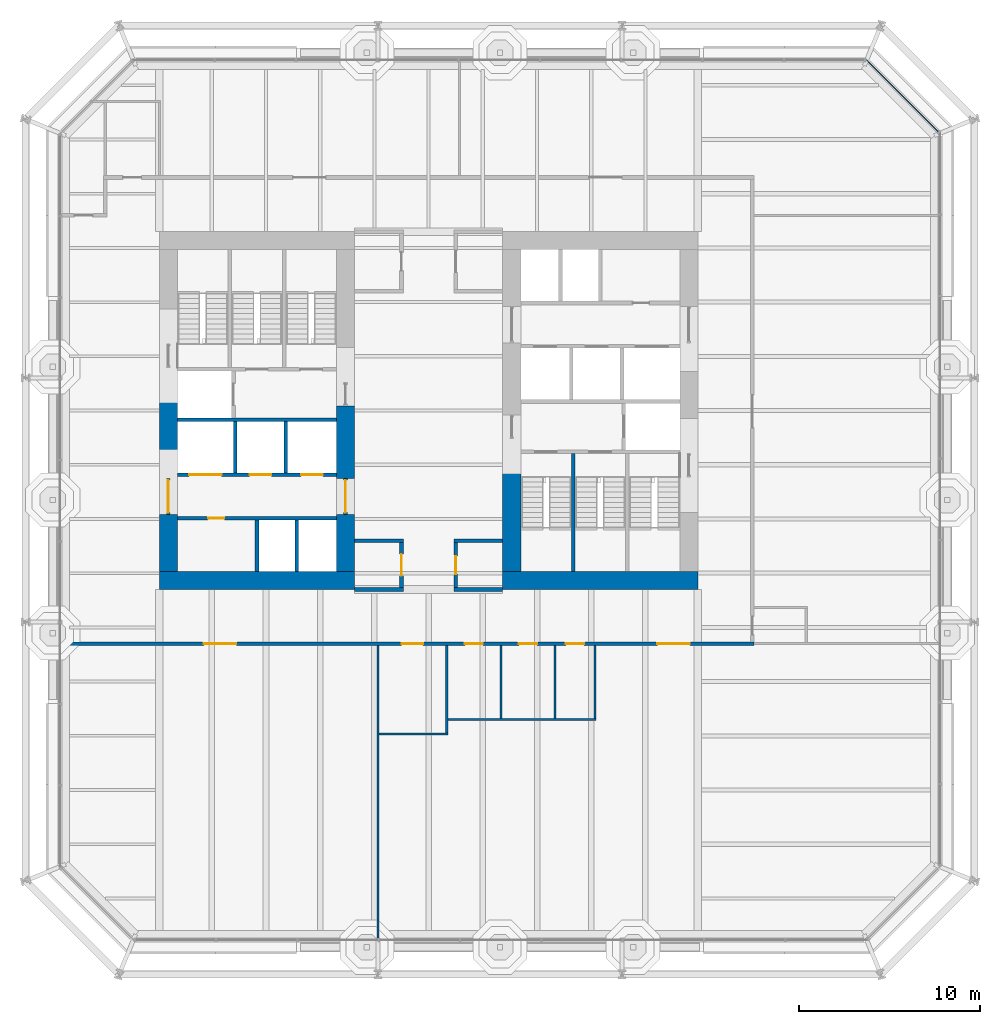
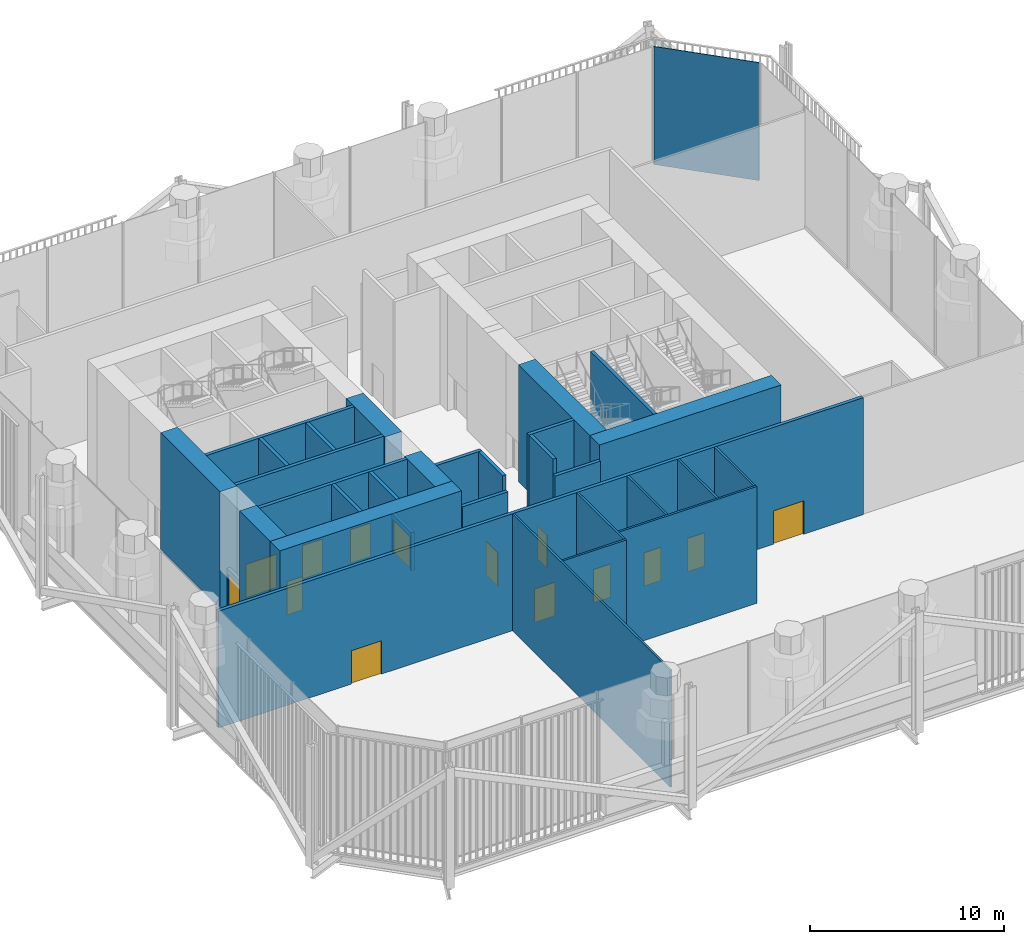
# One storey, part 12 of 18: 31 walls, 14 doors, 1 plate, 14 openings, 1 element without a shape of its own.
"""IFC4 building model written with IfcOpenShell, lengths in metres."""

from ifc_helpers import new_model, si_unit, direction, frame, frame_2d, origin, place, context, subcontext, project, spatial, polyline, rectangle, outline, extrude, material, layer, layer_set, type_object, element, fill, aggregate, save


model = new_model("IFC4")

# Units and contexts
model_context = context("Model", 3, precision=1e-05, world=origin(), true_north=direction((0.0, 1.0)))
body_context = subcontext(model_context, "Body", "Model", "MODEL_VIEW")
ifc_project = project(units=[si_unit("LENGTHUNIT", "METRE"), si_unit("AREAUNIT", "SQUARE_METRE"), si_unit("VOLUMEUNIT", "CUBIC_METRE"), si_unit("PLANEANGLEUNIT", "RADIAN"), si_unit("MASSUNIT", "GRAM", prefix="KILO")], contexts=[model_context])

# Site, building, storey
site_placement = place(None, origin())
site = spatial("IfcSite", under=ifc_project, at=site_placement, CompositionType="ELEMENT")
building_placement = place(site_placement, origin())
building = spatial("IfcBuilding", under=site, at=building_placement, Name="Millrace Tower", CompositionType="ELEMENT")
storey_placement = place(building_placement, frame((0.0, 0.0, 112.800048828125)))
storey = spatial("IfcBuildingStorey", under=building, at=storey_placement, Name="L25", CompositionType="ELEMENT", Elevation=112.800048828125)

# Curtain wall, plate
ifc_material_1 = material(Name="Aluminium and glass", Category="aluminium")
ifc_layer_1 = layer(ifc_material_1, 0.199951171875)
ifc_layer_set_1 = layer_set([ifc_layer_1], Name="Aluminium and glass")
curtain_wall_type = type_object("IfcCurtainWallType", Name="CW-4 sky garden winter glazing", PredefinedType="NOTDEFINED", material=ifc_layer_set_1)
curtain_wall_placement = place(storey_placement, origin())
curtain_wall = element("IfcCurtainWall", 1, at=curtain_wall_placement, inside=storey, type_object=curtain_wall_type, Name="Curtain wall B-F05 L25", PredefinedType="NOTDEFINED")
ifc_material_2 = material(Name="Glass", Category="glass")
ifc_layer_2 = layer(ifc_material_2, 0.0439453125)
ifc_layer_set_2 = layer_set([ifc_layer_2], Name="Glass")
plate_type = type_object("IfcPlateType", Name="CW-4 sky garden winter glazing triple-glazed double-height panel", PredefinedType="CURTAIN_PANEL", material=ifc_layer_set_2)
plate_placement = place(storey_placement, frame((0.0, 0.0, 0.179931640625)))
plate = element("IfcPlate", 2, at=plate_placement, type_object=plate_type, Name="CW4 panel B-F05.1", PredefinedType="CURTAIN_PANEL", context=body_context, shape_type="SweptSolid", body=[
    extrude(outline(polyline([(28.229736328125, 15.44287109375), (24.25048828125, 19.422119140625), (24.232421875, 19.3779296875), (28.198486328125, 15.41162109375), (28.229736328125, 15.44287109375)])), origin(), (0.0, 0.0, 1.0), 7.419921875),
])
aggregate(curtain_wall, [plate])

# Walls
ifc_material_3 = material(Name="Concrete C80", Category="concrete")
ifc_layer_3 = layer(ifc_material_3, 1.0)
ifc_layer_set_3 = layer_set([ifc_layer_3], Name="Concrete C80")
wall_type_1 = type_object("IfcWallType", Name="Core wall 1000 Concrete C80", PredefinedType="SHEAR", material=ifc_layer_set_3)
wall_1_placement = place(storey_placement, frame((-14.89990234375, -9.39990234375, 0.0), z_axis=(0.0, 0.0, 1.0), x_axis=(1.0, 0.0, 0.0)))
element("IfcWall", 3, at=wall_1_placement, inside=storey, type_object=wall_type_1, Name="Core wall W L25", PredefinedType="SHEAR", context=body_context, shape_type="SweptSolid", body=[
    extrude(rectangle(XDim=10.7998046875, YDim=1.0, at=frame_2d((5.39990234375, 0.0))), origin(), (0.0, 0.0, 1.0), 7.349853515625),
])
wall_2_placement = place(storey_placement, frame((-14.39990234375, -8.89990234375, 0.0), z_axis=(0.0, 0.0, 1.0), x_axis=(0.0, 1.0, 0.0)))
element("IfcWall", 4, at=wall_2_placement, inside=storey, type_object=wall_type_1, Name="Core wall W L25", PredefinedType="SHEAR", context=body_context, shape_type="SweptSolid", body=[
    extrude(rectangle(XDim=3.14990234375, YDim=1.0, at=frame_2d((1.574951171875, 0.0))), origin(), (0.0, 0.0, 1.0), 7.349853515625),
])
wall_3_placement = place(storey_placement, frame((-14.39990234375, -3.75, 0.0), z_axis=(0.0, 0.0, 1.0), x_axis=(0.0, 1.0, 0.0)))
element("IfcWall", 5, at=wall_3_placement, inside=storey, type_object=wall_type_1, Name="Core wall W L25", PredefinedType="SHEAR", context=body_context, shape_type="SweptSolid", body=[
    extrude(rectangle(XDim=6.1298828125, YDim=1.0, at=frame_2d((3.06494140625, 0.0))), origin(), (0.0, 0.0, 1.0), 7.349853515625),
])
wall_4_placement = place(storey_placement, frame((-4.60009765625, -8.89990234375, 0.0), z_axis=(0.0, 0.0, 1.0), x_axis=(0.0, 1.0, 0.0)))
element("IfcWall", 6, at=wall_4_placement, inside=storey, type_object=wall_type_1, Name="Core wall W L25", PredefinedType="SHEAR", context=body_context, shape_type="SweptSolid", body=[
    extrude(rectangle(XDim=3.14990234375, YDim=1.0, at=frame_2d((1.574951171875, 0.0))), origin(), (0.0, 0.0, 1.0), 7.349853515625),
])
wall_5_placement = place(storey_placement, frame((-4.60009765625, -3.75, 0.0), z_axis=(0.0, 0.0, 1.0), x_axis=(0.0, 1.0, 0.0)))
element("IfcWall", 7, at=wall_5_placement, inside=storey, type_object=wall_type_1, Name="Core wall W L25", PredefinedType="SHEAR", context=body_context, shape_type="SweptSolid", body=[
    extrude(rectangle(XDim=4.0, YDim=1.0, at=frame_2d((2.0, 0.0))), origin(), (0.0, 0.0, 1.0), 7.349853515625),
])
wall_6_placement = place(storey_placement, frame((14.89990234375, -9.39990234375, 0.0), z_axis=(0.0, 0.0, 1.0), x_axis=(-1.0, 0.0, 0.0)))
element("IfcWall", 8, at=wall_6_placement, inside=storey, type_object=wall_type_1, Name="Core wall E L25", PredefinedType="SHEAR", context=body_context, shape_type="SweptSolid", body=[
    extrude(rectangle(XDim=10.7998046875, YDim=1.0, at=frame_2d((5.39990234375, 0.0))), origin(), (0.0, 0.0, 1.0), 7.349853515625),
])
wall_7_placement = place(storey_placement, frame((4.60009765625, -1.550048828125, 0.0), z_axis=(0.0, 0.0, 1.0), x_axis=(0.0, -1.0, 0.0)))
element("IfcWall", 9, at=wall_7_placement, inside=storey, type_object=wall_type_1, Name="Core wall E L25", PredefinedType="SHEAR", context=body_context, shape_type="SweptSolid", body=[
    extrude(rectangle(XDim=7.349853515625, YDim=1.0, at=frame_2d((3.6748046875, 0.0))), origin(), (0.0, 0.0, 1.0), 7.349853515625),
])

# Wall, openings, doors
ifc_material_4 = material(Name="Masonry partition, fire-rated", Category="masonry")
ifc_layer_4 = layer(ifc_material_4, 0.199951171875)
ifc_layer_set_4 = layer_set([ifc_layer_4], Name="Masonry partition, fire-rated")
wall_type_2 = type_object("IfcWallType", Name="Corridor wall 200", PredefinedType="PARTITIONING", material=ifc_layer_set_4)
wall_8_placement = place(storey_placement, frame((-20.330078125, -12.89990234375, 0.0), z_axis=(0.0, 0.0, 1.0), x_axis=(1.0, 0.0, 0.0)))
wall_8 = element("IfcWall", 10, at=wall_8_placement, inside=storey, type_object=wall_type_2, Name="Corridor wall L25", PredefinedType="PARTITIONING", context=body_context, shape_type="SweptSolid", body=[
    extrude(rectangle(XDim=38.330078125, YDim=0.199951171875, at=frame_2d((19.1650390625, 0.0))), origin(), (0.0, 0.0, 1.0), 7.349853515625),
])
opening_1_placement = place(wall_8_placement, frame((7.889892578125, 0.0, 0.0)))
opening_1 = element("IfcOpeningElement", 11, at=opening_1_placement, cuts=wall_8, Name="Opening 25-P005", PredefinedType="OPENING", context=body_context, shape_type="SweptSolid", body=[
    extrude(rectangle(XDim=1.800048828125, YDim=2.10009765625, at=frame_2d((0.89990234375, 1.050048828125))), frame((0.0, 0.10986328125, 0.0), z_axis=(0.0, -1.0, 0.0), x_axis=(1.0, 0.0, 0.0)), (0.0, 0.0, 1.0), 0.219970703125),
])
opening_2_placement = place(wall_8_placement, frame((32.985107421875, 0.0, 0.0)))
opening_2 = element("IfcOpeningElement", 12, at=opening_2_placement, cuts=wall_8, Name="Opening 25-P006", PredefinedType="OPENING", context=body_context, shape_type="SweptSolid", body=[
    extrude(rectangle(XDim=1.800048828125, YDim=2.10009765625, at=frame_2d((0.89990234375, 1.050048828125))), frame((0.0, 0.10986328125, 0.0), z_axis=(0.0, -1.0, 0.0), x_axis=(1.0, 0.0, 0.0)), (0.0, 0.0, 1.0), 0.219970703125),
])
opening_3_placement = place(wall_8_placement, frame((18.830078125, 0.0, 0.0)))
opening_3 = element("IfcOpeningElement", 13, at=opening_3_placement, cuts=wall_8, Name="Opening 25-P007", PredefinedType="OPENING", context=body_context, shape_type="SweptSolid", body=[
    extrude(rectangle(XDim=1.199951171875, YDim=2.10009765625, at=frame_2d((0.60009765625, 1.050048828125))), frame((0.0, 0.10986328125, 0.0), z_axis=(0.0, -1.0, 0.0), x_axis=(1.0, 0.0, 0.0)), (0.0, 0.0, 1.0), 0.219970703125),
])
opening_4_placement = place(wall_8_placement, frame((22.330078125, 0.0, 0.0)))
opening_4 = element("IfcOpeningElement", 14, at=opening_4_placement, cuts=wall_8, Name="Opening 25-P014", PredefinedType="OPENING", context=body_context, shape_type="SweptSolid", body=[
    extrude(rectangle(XDim=1.0, YDim=2.10009765625, at=frame_2d((0.5, 1.050048828125))), frame((0.0, 0.10986328125, 0.0), z_axis=(0.0, -1.0, 0.0), x_axis=(1.0, 0.0, 0.0)), (0.0, 0.0, 1.0), 0.219970703125),
])
opening_5_placement = place(wall_8_placement, frame((25.330078125, 0.0, 0.0)))
opening_5 = element("IfcOpeningElement", 15, at=opening_5_placement, cuts=wall_8, Name="Opening 25-P015", PredefinedType="OPENING", context=body_context, shape_type="SweptSolid", body=[
    extrude(rectangle(XDim=1.0, YDim=2.10009765625, at=frame_2d((0.5, 1.050048828125))), frame((0.0, 0.10986328125, 0.0), z_axis=(0.0, -1.0, 0.0), x_axis=(1.0, 0.0, 0.0)), (0.0, 0.0, 1.0), 0.219970703125),
])
opening_6_placement = place(wall_8_placement, frame((27.929931640625, 0.0, 0.0)))
opening_6 = element("IfcOpeningElement", 16, at=opening_6_placement, cuts=wall_8, Name="Opening 25-P016", PredefinedType="OPENING", context=body_context, shape_type="SweptSolid", body=[
    extrude(rectangle(XDim=1.0, YDim=2.10009765625, at=frame_2d((0.5, 1.050048828125))), frame((0.0, 0.10986328125, 0.0), z_axis=(0.0, -1.0, 0.0), x_axis=(1.0, 0.0, 0.0)), (0.0, 0.0, 1.0), 0.219970703125),
])
ifc_material_5 = material(Name="Steel door set, fire-rated", Category="steel")
door_type_1 = type_object("IfcDoorType", Name="Corridor door 1000 x 2100", OperationType="SINGLE_SWING_LEFT", PredefinedType="DOOR", material=ifc_material_5)
door_1_placement = place(opening_4_placement, frame((1.0, 0.0, 0.0), z_axis=(0.0, 0.0, 1.0), x_axis=(-1.0, 0.0, 0.0)))
door_1 = element("IfcDoor", 17, at=door_1_placement, inside=storey, type_object=door_type_1, Name="Door 25-P014", OperationType="SINGLE_SWING_LEFT", OverallHeight=2.10009765625, OverallWidth=1.0, PredefinedType="DOOR", context=body_context, shape_type="SweptSolid", body=[
    extrude(rectangle(XDim=1.0, YDim=2.10009765625, at=frame_2d((0.5, 1.050048828125))), frame((0.0, 0.02490234375, 0.0), z_axis=(0.0, -1.0, 0.0), x_axis=(1.0, 0.0, 0.0)), (0.0, 0.0, 1.0), 0.050048828125),
])
fill(opening_4, door_1)
door_2_placement = place(opening_5_placement, frame((1.0, 0.0, 0.0), z_axis=(0.0, 0.0, 1.0), x_axis=(-1.0, 0.0, 0.0)))
door_2 = element("IfcDoor", 18, at=door_2_placement, inside=storey, type_object=door_type_1, Name="Door 25-P015", OperationType="SINGLE_SWING_LEFT", OverallHeight=2.10009765625, OverallWidth=1.0, PredefinedType="DOOR", context=body_context, shape_type="SweptSolid", body=[
    extrude(rectangle(XDim=1.0, YDim=2.10009765625, at=frame_2d((0.5, 1.050048828125))), frame((0.0, 0.02490234375, 0.0), z_axis=(0.0, -1.0, 0.0), x_axis=(1.0, 0.0, 0.0)), (0.0, 0.0, 1.0), 0.050048828125),
])
fill(opening_5, door_2)
door_3_placement = place(opening_6_placement, frame((1.0, 0.0, 0.0), z_axis=(0.0, 0.0, 1.0), x_axis=(-1.0, 0.0, 0.0)))
door_3 = element("IfcDoor", 19, at=door_3_placement, inside=storey, type_object=door_type_1, Name="Door 25-P016", OperationType="SINGLE_SWING_LEFT", OverallHeight=2.10009765625, OverallWidth=1.0, PredefinedType="DOOR", context=body_context, shape_type="SweptSolid", body=[
    extrude(rectangle(XDim=1.0, YDim=2.10009765625, at=frame_2d((0.5, 1.050048828125))), frame((0.0, 0.02490234375, 0.0), z_axis=(0.0, -1.0, 0.0), x_axis=(1.0, 0.0, 0.0)), (0.0, 0.0, 1.0), 0.050048828125),
])
fill(opening_6, door_3)
ifc_material_6 = material(Name="Steel door set, fire-rated", Category="steel")
door_type_2 = type_object("IfcDoorType", Name="Corridor door 1200 x 2100", OperationType="SINGLE_SWING_LEFT", PredefinedType="DOOR", material=ifc_material_6)
door_4_placement = place(opening_3_placement, frame((1.199951171875, 0.0, 0.0), z_axis=(0.0, 0.0, 1.0), x_axis=(-1.0, 0.0, 0.0)))
door_4 = element("IfcDoor", 20, at=door_4_placement, inside=storey, type_object=door_type_2, Name="Door 25-P007", OperationType="SINGLE_SWING_LEFT", OverallHeight=2.10009765625, OverallWidth=1.199951171875, PredefinedType="DOOR", context=body_context, shape_type="SweptSolid", body=[
    extrude(rectangle(XDim=1.199951171875, YDim=2.10009765625, at=frame_2d((0.60009765625, 1.050048828125))), frame((0.0, 0.02490234375, 0.0), z_axis=(0.0, -1.0, 0.0), x_axis=(1.0, 0.0, 0.0)), (0.0, 0.0, 1.0), 0.050048828125),
])
fill(opening_3, door_4)
ifc_material_7 = material(Name="Steel door set, fire-rated", Category="steel")
door_type_3 = type_object("IfcDoorType", Name="Corridor door 1800 x 2100", OperationType="DOUBLE_DOOR_SINGLE_SWING", PredefinedType="DOOR", material=ifc_material_7)
door_5_placement = place(opening_1_placement, origin())
door_5 = element("IfcDoor", 21, at=door_5_placement, inside=storey, type_object=door_type_3, Name="Door 25-P005", OperationType="DOUBLE_DOOR_SINGLE_SWING", OverallHeight=2.10009765625, OverallWidth=1.800048828125, PredefinedType="DOOR", context=body_context, shape_type="SweptSolid", body=[
    extrude(rectangle(XDim=1.800048828125, YDim=2.10009765625, at=frame_2d((0.89990234375, 1.050048828125))), frame((0.0, 0.02490234375, 0.0), z_axis=(0.0, -1.0, 0.0), x_axis=(1.0, 0.0, 0.0)), (0.0, 0.0, 1.0), 0.050048828125),
])
fill(opening_1, door_5)
door_6_placement = place(opening_2_placement, origin())
door_6 = element("IfcDoor", 22, at=door_6_placement, inside=storey, type_object=door_type_3, Name="Door 25-P006", OperationType="DOUBLE_DOOR_SINGLE_SWING", OverallHeight=2.10009765625, OverallWidth=1.800048828125, PredefinedType="DOOR", context=body_context, shape_type="SweptSolid", body=[
    extrude(rectangle(XDim=1.800048828125, YDim=2.10009765625, at=frame_2d((0.89990234375, 1.050048828125))), frame((0.0, 0.02490234375, 0.0), z_axis=(0.0, -1.0, 0.0), x_axis=(1.0, 0.0, 0.0)), (0.0, 0.0, 1.0), 0.050048828125),
])
fill(opening_2, door_6)

# Walls
for number, where, z_axis, x_axis, name in (
    (23, (-4.10009765625, -9.89990234375, 0.0), (0.0, 0.0, 1.0), (1.0, 0.0, 0.0), "Corridor wall L25"),
    (24, (1.39990234375, -9.89990234375, 0.0), (0.0, 0.0, 1.0), (1.0, 0.0, 0.0), "Corridor wall L25"),
):
    element("IfcWall", number, at=place(storey_placement, frame(where, z_axis=z_axis, x_axis=x_axis)), inside=storey, type_object=wall_type_2, Name=name, PredefinedType="PARTITIONING", context=body_context, shape_type="SweptSolid", body=[
        extrude(rectangle(XDim=2.7001953125, YDim=0.199951171875, at=frame_2d((1.35009765625, 0.0))), origin(), (0.0, 0.0, 1.0), 6.402587890625),
    ])
for number, where, z_axis, x_axis, name in (
    (25, (-4.10009765625, -7.199951171875, 0.0), (0.0, 0.0, 1.0), (1.0, 0.0, 0.0), "Corridor wall L25"),
    (26, (1.39990234375, -7.199951171875, 0.0), (0.0, 0.0, 1.0), (1.0, 0.0, 0.0), "Corridor wall L25"),
):
    element("IfcWall", number, at=place(storey_placement, frame(where, z_axis=z_axis, x_axis=x_axis)), inside=storey, type_object=wall_type_2, Name=name, PredefinedType="PARTITIONING", context=body_context, shape_type="SweptSolid", body=[
        extrude(rectangle(XDim=2.7001953125, YDim=0.199951171875, at=frame_2d((1.35009765625, 0.0))), origin(), (0.0, 0.0, 1.0), 7.349853515625),
    ])

# Wall, opening, door
wall_9_placement = place(storey_placement, frame((1.5, -9.800048828125, 0.0), z_axis=(0.0, 0.0, 1.0), x_axis=(0.0, 1.0, 0.0)))
wall_9 = element("IfcWall", 27, at=wall_9_placement, inside=storey, type_object=wall_type_2, Name="Corridor wall L25", PredefinedType="PARTITIONING", context=body_context, shape_type="SweptSolid", body=[
    extrude(rectangle(XDim=2.5, YDim=0.199951171875, at=frame_2d((1.25, 0.0))), origin(), (0.0, 0.0, 1.0), 7.349853515625),
])
opening_7_placement = place(wall_9_placement, frame((0.75, 0.0, 0.0)))
opening_7 = element("IfcOpeningElement", 28, at=opening_7_placement, cuts=wall_9, Name="Opening 25-P004", PredefinedType="OPENING", context=body_context, shape_type="SweptSolid", body=[
    extrude(rectangle(XDim=1.0, YDim=2.10009765625, at=frame_2d((0.5, 1.050048828125))), frame((0.0, 0.10986328125, 0.0), z_axis=(0.0, -1.0, 0.0), x_axis=(1.0, 0.0, 0.0)), (0.0, 0.0, 1.0), 0.219970703125),
])
door_7_placement = place(opening_7_placement, frame((1.0, 0.0, 0.0), z_axis=(0.0, 0.0, 1.0), x_axis=(-1.0, 0.0, 0.0)))
door_7 = element("IfcDoor", 29, at=door_7_placement, inside=storey, type_object=door_type_1, Name="Door 25-P004", OperationType="SINGLE_SWING_RIGHT", OverallHeight=2.10009765625, OverallWidth=1.0, PredefinedType="DOOR", context=body_context, shape_type="SweptSolid", body=[
    extrude(rectangle(XDim=1.0, YDim=2.10009765625, at=frame_2d((0.5, 1.050048828125))), frame((0.0, 0.02490234375, 0.0), z_axis=(0.0, -1.0, 0.0), x_axis=(1.0, 0.0, 0.0)), (0.0, 0.0, 1.0), 0.050048828125),
])
fill(opening_7, door_7)

wall_10_placement = place(storey_placement, frame((-1.5, -9.800048828125, 0.0), z_axis=(0.0, 0.0, 1.0), x_axis=(0.0, 1.0, 0.0)))
wall_10 = element("IfcWall", 30, at=wall_10_placement, inside=storey, type_object=wall_type_2, Name="Corridor wall L25", PredefinedType="PARTITIONING", context=body_context, shape_type="SweptSolid", body=[
    extrude(rectangle(XDim=2.5, YDim=0.199951171875, at=frame_2d((1.25, 0.0))), origin(), (0.0, 0.0, 1.0), 7.349853515625),
])
opening_8_placement = place(wall_10_placement, frame((0.64990234375, 0.0, 0.0)))
opening_8 = element("IfcOpeningElement", 31, at=opening_8_placement, cuts=wall_10, Name="Opening 25-P003", PredefinedType="OPENING", context=body_context, shape_type="SweptSolid", body=[
    extrude(rectangle(XDim=1.199951171875, YDim=2.10009765625, at=frame_2d((0.60009765625, 1.050048828125))), frame((0.0, 0.10986328125, 0.0), z_axis=(0.0, -1.0, 0.0), x_axis=(1.0, 0.0, 0.0)), (0.0, 0.0, 1.0), 0.219970703125),
])
door_8_placement = place(opening_8_placement, origin())
door_8 = element("IfcDoor", 32, at=door_8_placement, inside=storey, type_object=door_type_2, Name="Door 25-P003", OperationType="SINGLE_SWING_LEFT", OverallHeight=2.10009765625, OverallWidth=1.199951171875, PredefinedType="DOOR", context=body_context, shape_type="SweptSolid", body=[
    extrude(rectangle(XDim=1.199951171875, YDim=2.10009765625, at=frame_2d((0.60009765625, 1.050048828125))), frame((0.0, 0.02490234375, 0.0), z_axis=(0.0, -1.0, 0.0), x_axis=(1.0, 0.0, 0.0)), (0.0, 0.0, 1.0), 0.050048828125),
])
fill(opening_8, door_8)

ifc_material_8 = material(Name="Masonry partition, fire-rated", Category="masonry")
ifc_layer_5 = layer(ifc_material_8, 0.199951171875)
ifc_layer_set_5 = layer_set([ifc_layer_5], Name="Masonry partition, fire-rated")
wall_type_3 = type_object("IfcWallType", Name="Lift shaft wall 200", PredefinedType="PARTITIONING", material=ifc_layer_set_5)
wall_11_placement = place(storey_placement, frame((-13.89990234375, -5.949951171875, 0.0), z_axis=(0.0, 0.0, 1.0), x_axis=(1.0, 0.0, 0.0)))
wall_11 = element("IfcWall", 33, at=wall_11_placement, inside=storey, type_object=wall_type_3, Name="Lift shaft wall W L25", PredefinedType="PARTITIONING", context=body_context, shape_type="SweptSolid", body=[
    extrude(rectangle(XDim=8.7998046875, YDim=0.199951171875, at=frame_2d((4.39990234375, 0.0))), origin(), (0.0, 0.0, 1.0), 7.349853515625),
])
opening_9_placement = place(wall_11_placement, frame((1.699951171875, 0.0, 0.0)))
opening_9 = element("IfcOpeningElement", 34, at=opening_9_placement, cuts=wall_11, Name="Opening 25-C005", PredefinedType="OPENING", context=body_context, shape_type="SweptSolid", body=[
    extrude(rectangle(XDim=0.89990234375, YDim=2.10009765625, at=frame_2d((0.449951171875, 1.050048828125))), frame((0.0, 0.10986328125, 0.0), z_axis=(0.0, -1.0, 0.0), x_axis=(1.0, 0.0, 0.0)), (0.0, 0.0, 1.0), 0.219970703125),
])
ifc_material_9 = material(Name="Steel door, fire-rated", Category="steel")
door_type_4 = type_object("IfcDoorType", Name="Service room door 900 x 2100", OperationType="SINGLE_SWING_LEFT", PredefinedType="DOOR", material=ifc_material_9)
door_9_placement = place(opening_9_placement, frame((0.89990234375, 0.0, 0.0), z_axis=(0.0, 0.0, 1.0), x_axis=(-1.0, 0.0, 0.0)))
door_9 = element("IfcDoor", 35, at=door_9_placement, inside=storey, type_object=door_type_4, Name="Service room door 25-C005", OperationType="SINGLE_SWING_RIGHT", OverallHeight=2.10009765625, OverallWidth=0.89990234375, PredefinedType="DOOR", context=body_context, shape_type="SweptSolid", body=[
    extrude(rectangle(XDim=0.89990234375, YDim=2.10009765625, at=frame_2d((0.449951171875, 1.050048828125))), frame((0.0, 0.02490234375, 0.0), z_axis=(0.0, -1.0, 0.0), x_axis=(1.0, 0.0, 0.0)), (0.0, 0.0, 1.0), 0.050048828125),
])
fill(opening_9, door_9)

# Wall, openings, doors
wall_12_placement = place(storey_placement, frame((-13.89990234375, -3.550048828125, 0.0), z_axis=(0.0, 0.0, 1.0), x_axis=(1.0, 0.0, 0.0)))
wall_12 = element("IfcWall", 36, at=wall_12_placement, inside=storey, type_object=wall_type_3, Name="Lift shaft wall W L25", PredefinedType="PARTITIONING", context=body_context, shape_type="SweptSolid", body=[
    extrude(rectangle(XDim=8.7998046875, YDim=0.199951171875, at=frame_2d((4.39990234375, 0.0))), origin(), (0.0, 0.0, 1.0), 7.349853515625),
])
opening_10_placement = place(wall_12_placement, frame((0.64990234375, 0.0, 0.0)))
opening_10 = element("IfcOpeningElement", 37, at=opening_10_placement, cuts=wall_12, Name="Opening 25-LD05", PredefinedType="OPENING", context=body_context, shape_type="SweptSolid", body=[
    extrude(rectangle(XDim=1.800048828125, YDim=2.10009765625, at=frame_2d((0.89990234375, 1.050048828125))), frame((0.0, 0.10986328125, 0.0), z_axis=(0.0, -1.0, 0.0), x_axis=(1.0, 0.0, 0.0)), (0.0, 0.0, 1.0), 0.219970703125),
])
opening_11_placement = place(wall_12_placement, frame((4.0, 0.0, 0.0)))
opening_11 = element("IfcOpeningElement", 38, at=opening_11_placement, cuts=wall_12, Name="Opening 25-LD06", PredefinedType="OPENING", context=body_context, shape_type="SweptSolid", body=[
    extrude(rectangle(XDim=1.199951171875, YDim=2.10009765625, at=frame_2d((0.60009765625, 1.050048828125))), frame((0.0, 0.10986328125, 0.0), z_axis=(0.0, -1.0, 0.0), x_axis=(1.0, 0.0, 0.0)), (0.0, 0.0, 1.0), 0.219970703125),
])
opening_12_placement = place(wall_12_placement, frame((6.85009765625, 0.0, 0.0)))
opening_12 = element("IfcOpeningElement", 39, at=opening_12_placement, cuts=wall_12, Name="Opening 25-LD07", PredefinedType="OPENING", context=body_context, shape_type="SweptSolid", body=[
    extrude(rectangle(XDim=1.199951171875, YDim=2.10009765625, at=frame_2d((0.60009765625, 1.050048828125))), frame((0.0, 0.10986328125, 0.0), z_axis=(0.0, -1.0, 0.0), x_axis=(1.0, 0.0, 0.0)), (0.0, 0.0, 1.0), 0.219970703125),
])
ifc_material_10 = material(Name="Stainless steel, fire-rated", Category="steel")
door_type_5 = type_object("IfcDoorType", Name="Lift landing door 1200 x 2100", OperationType="DOUBLE_DOOR_SLIDING", PredefinedType="DOOR", material=ifc_material_10)
door_10_placement = place(opening_11_placement, origin())
door_10 = element("IfcDoor", 40, at=door_10_placement, inside=storey, type_object=door_type_5, Name="Lift landing door LF6 L25", OperationType="DOUBLE_DOOR_SLIDING", OverallHeight=2.10009765625, OverallWidth=1.199951171875, PredefinedType="DOOR", context=body_context, shape_type="SweptSolid", body=[
    extrude(rectangle(XDim=1.199951171875, YDim=2.10009765625, at=frame_2d((0.60009765625, 1.050048828125))), frame((0.0, 0.02490234375, 0.0), z_axis=(0.0, -1.0, 0.0), x_axis=(1.0, 0.0, 0.0)), (0.0, 0.0, 1.0), 0.050048828125),
])
fill(opening_11, door_10)
door_11_placement = place(opening_12_placement, origin())
door_11 = element("IfcDoor", 41, at=door_11_placement, inside=storey, type_object=door_type_5, Name="Lift landing door LF7 L25", OperationType="DOUBLE_DOOR_SLIDING", OverallHeight=2.10009765625, OverallWidth=1.199951171875, PredefinedType="DOOR", context=body_context, shape_type="SweptSolid", body=[
    extrude(rectangle(XDim=1.199951171875, YDim=2.10009765625, at=frame_2d((0.60009765625, 1.050048828125))), frame((0.0, 0.02490234375, 0.0), z_axis=(0.0, -1.0, 0.0), x_axis=(1.0, 0.0, 0.0)), (0.0, 0.0, 1.0), 0.050048828125),
])
fill(opening_12, door_11)
ifc_material_11 = material(Name="Stainless steel, fire-rated", Category="steel")
door_type_6 = type_object("IfcDoorType", Name="Lift landing door 1800 x 2100", OperationType="DOUBLE_DOOR_SLIDING", PredefinedType="DOOR", material=ifc_material_11)
door_12_placement = place(opening_10_placement, origin())
door_12 = element("IfcDoor", 42, at=door_12_placement, inside=storey, type_object=door_type_6, Name="Lift landing door LF5 L25", OperationType="DOUBLE_DOOR_SLIDING", OverallHeight=2.10009765625, OverallWidth=1.800048828125, PredefinedType="DOOR", context=body_context, shape_type="SweptSolid", body=[
    extrude(rectangle(XDim=1.800048828125, YDim=2.10009765625, at=frame_2d((0.89990234375, 1.050048828125))), frame((0.0, 0.02490234375, 0.0), z_axis=(0.0, -1.0, 0.0), x_axis=(1.0, 0.0, 0.0)), (0.0, 0.0, 1.0), 0.050048828125),
])
fill(opening_10, door_12)

# Walls
wall_13_placement = place(storey_placement, frame((-13.89990234375, -0.5, 0.0), z_axis=(0.0, 0.0, 1.0), x_axis=(1.0, 0.0, 0.0)))
element("IfcWall", 43, at=wall_13_placement, inside=storey, type_object=wall_type_3, Name="Lift shaft wall W L25", PredefinedType="PARTITIONING", context=body_context, shape_type="SweptSolid", body=[
    extrude(rectangle(XDim=8.7998046875, YDim=0.199951171875, at=frame_2d((4.39990234375, 0.0))), origin(), (0.0, 0.0, 1.0), 7.349853515625),
])
for number, where, z_axis, x_axis, name in (
    (44, (-9.5, -8.89990234375, 0.0), (0.0, 0.0, 1.0), (0.0, 1.0, 0.0), "Lift shaft wall W L25"),
    (45, (-7.300048828125, -8.89990234375, 0.0), (0.0, 0.0, 1.0), (0.0, 1.0, 0.0), "Lift shaft wall W L25"),
    (46, (-10.699951171875, -3.449951171875, 0.0), (0.0, 0.0, 1.0), (0.0, 1.0, 0.0), "Lift shaft wall W L25"),
    (47, (-7.89990234375, -3.449951171875, 0.0), (0.0, 0.0, 1.0), (0.0, 1.0, 0.0), "Lift shaft wall W L25"),
):
    element("IfcWall", number, at=place(storey_placement, frame(where, z_axis=z_axis, x_axis=x_axis)), inside=storey, type_object=wall_type_3, Name=name, PredefinedType="PARTITIONING", context=body_context, shape_type="SweptSolid", body=[
        extrude(rectangle(XDim=2.849853515625, YDim=0.199951171875, at=frame_2d((1.4248046875, 0.0))), origin(), (0.0, 0.0, 1.0), 7.349853515625),
    ])

# Wall, opening, door
ifc_material_12 = material(Name="Masonry partition, fire-rated", Category="masonry")
ifc_layer_6 = layer(ifc_material_12, 0.199951171875)
ifc_layer_set_6 = layer_set([ifc_layer_6], Name="Masonry partition, fire-rated")
wall_type_4 = type_object("IfcWallType", Name="Lobby wall 200", PredefinedType="PARTITIONING", material=ifc_layer_set_6)
wall_14_placement = place(storey_placement, frame((-14.39990234375, -5.75, 0.0), z_axis=(0.0, 0.0, 1.0), x_axis=(0.0, 1.0, 0.0)))
wall_14 = element("IfcWall", 48, at=wall_14_placement, inside=storey, type_object=wall_type_4, Name="Lobby wall W L25", PredefinedType="PARTITIONING", context=body_context, shape_type="SweptSolid", body=[
    extrude(rectangle(XDim=2.0, YDim=0.199951171875, at=frame_2d((1.0, 0.0))), origin(), (0.0, 0.0, 1.0), 2.39990234375),
])
opening_13_placement = place(wall_14_placement, frame((0.10009765625, 0.0, 0.0)))
opening_13 = element("IfcOpeningElement", 49, at=opening_13_placement, cuts=wall_14, Name="Opening 25-C001", PredefinedType="OPENING", context=body_context, shape_type="SweptSolid", body=[
    extrude(rectangle(XDim=1.800048828125, YDim=2.10009765625, at=frame_2d((0.89990234375, 1.050048828125))), frame((0.0, 0.10986328125, 0.0), z_axis=(0.0, -1.0, 0.0), x_axis=(1.0, 0.0, 0.0)), (0.0, 0.0, 1.0), 0.219970703125),
])
ifc_material_13 = material(Name="Steel door, fire-rated", Category="steel")
door_type_7 = type_object("IfcDoorType", Name="Lobby door 1800 x 2100", OperationType="DOUBLE_DOOR_SINGLE_SWING", PredefinedType="DOOR", material=ifc_material_13)
door_13_placement = place(opening_13_placement, origin())
door_13 = element("IfcDoor", 50, at=door_13_placement, inside=storey, type_object=door_type_7, Name="Lobby door 25-C001", OperationType="DOUBLE_DOOR_SINGLE_SWING", OverallHeight=2.10009765625, OverallWidth=1.800048828125, PredefinedType="DOOR", context=body_context, shape_type="SweptSolid", body=[
    extrude(rectangle(XDim=1.800048828125, YDim=2.10009765625, at=frame_2d((0.89990234375, 1.050048828125))), frame((0.0, 0.02490234375, 0.0), z_axis=(0.0, -1.0, 0.0), x_axis=(1.0, 0.0, 0.0)), (0.0, 0.0, 1.0), 0.050048828125),
])
fill(opening_13, door_13)

wall_15_placement = place(storey_placement, frame((-4.60009765625, -5.75, 0.0), z_axis=(0.0, 0.0, 1.0), x_axis=(0.0, 1.0, 0.0)))
wall_15 = element("IfcWall", 51, at=wall_15_placement, inside=storey, type_object=wall_type_4, Name="Lobby wall W L25", PredefinedType="PARTITIONING", context=body_context, shape_type="SweptSolid", body=[
    extrude(rectangle(XDim=2.0, YDim=0.199951171875, at=frame_2d((1.0, 0.0))), origin(), (0.0, 0.0, 1.0), 2.39990234375),
])
opening_14_placement = place(wall_15_placement, frame((0.10009765625, 0.0, 0.0)))
opening_14 = element("IfcOpeningElement", 52, at=opening_14_placement, cuts=wall_15, Name="Opening 25-C003", PredefinedType="OPENING", context=body_context, shape_type="SweptSolid", body=[
    extrude(rectangle(XDim=1.800048828125, YDim=2.10009765625, at=frame_2d((0.89990234375, 1.050048828125))), frame((0.0, 0.10986328125, 0.0), z_axis=(0.0, -1.0, 0.0), x_axis=(1.0, 0.0, 0.0)), (0.0, 0.0, 1.0), 0.219970703125),
])
door_14_placement = place(opening_14_placement, origin())
door_14 = element("IfcDoor", 53, at=door_14_placement, inside=storey, type_object=door_type_7, Name="Lobby door 25-C003", OperationType="DOUBLE_DOOR_SINGLE_SWING", OverallHeight=2.10009765625, OverallWidth=1.800048828125, PredefinedType="DOOR", context=body_context, shape_type="SweptSolid", body=[
    extrude(rectangle(XDim=1.800048828125, YDim=2.10009765625, at=frame_2d((0.89990234375, 1.050048828125))), frame((0.0, 0.02490234375, 0.0), z_axis=(0.0, -1.0, 0.0), x_axis=(1.0, 0.0, 0.0)), (0.0, 0.0, 1.0), 0.050048828125),
])
fill(opening_14, door_14)

# Walls
ifc_material_14 = material(Name="Gypsum board partition")
ifc_layer_7 = layer(ifc_material_14, 0.1201171875)
ifc_layer_set_7 = layer_set([ifc_layer_7], Name="Gypsum board partition")
wall_type_5 = type_object("IfcWallType", Name="Partition wall 120", PredefinedType="PARTITIONING", material=ifc_layer_set_7)
wall_16_placement = place(storey_placement, frame((-2.739990234375, -17.89990234375, 0.0), z_axis=(0.0, 0.0, 1.0), x_axis=(1.0, 0.0, 0.0)))
element("IfcWall", 54, at=wall_16_placement, inside=storey, type_object=wall_type_5, Name="Partition wall L25", PredefinedType="PARTITIONING", context=body_context, shape_type="SweptSolid", body=[
    extrude(rectangle(XDim=3.800048828125, YDim=0.1201171875, at=frame_2d((1.89990234375, 0.0))), origin(), (0.0, 0.0, 1.0), 7.349853515625),
])
wall_17_placement = place(storey_placement, frame((1.06005859375, -17.10009765625, 0.0), z_axis=(0.0, 0.0, 1.0), x_axis=(1.0, 0.0, 0.0)))
element("IfcWall", 55, at=wall_17_placement, inside=storey, type_object=wall_type_5, Name="Partition wall L25", PredefinedType="PARTITIONING", context=body_context, shape_type="SweptSolid", body=[
    extrude(rectangle(XDim=8.199951171875, YDim=0.1201171875, at=frame_2d((4.10009765625, 0.0))), origin(), (0.0, 0.0, 1.0), 7.349853515625),
])
for number, where, z_axis, x_axis, name in (
    (56, (9.199951171875, -17.0400390625, 0.0), (0.0, 0.0, 1.0), (0.0, 1.0, 0.0), "Partition wall L25"),
    (57, (7.0, -17.0400390625, 0.0), (0.0, 0.0, 1.0), (0.0, 1.0, 0.0), "Partition wall L25"),
    (58, (4.0, -17.0400390625, 0.0), (0.0, 0.0, 1.0), (0.0, 1.0, 0.0), "Partition wall L25"),
):
    element("IfcWall", number, at=place(storey_placement, frame(where, z_axis=z_axis, x_axis=x_axis)), inside=storey, type_object=wall_type_5, Name=name, PredefinedType="PARTITIONING", context=body_context, shape_type="SweptSolid", body=[
        extrude(rectangle(XDim=4.0400390625, YDim=0.1201171875, at=frame_2d((2.02001953125, 0.0))), origin(), (0.0, 0.0, 1.0), 7.349853515625),
    ])
wall_18_placement = place(storey_placement, frame((1.0, -17.840087890625, 0.0), z_axis=(0.0, 0.0, 1.0), x_axis=(0.0, 1.0, 0.0)))
element("IfcWall", 59, at=wall_18_placement, inside=storey, type_object=wall_type_5, Name="Partition wall L25", PredefinedType="PARTITIONING", context=body_context, shape_type="SweptSolid", body=[
    extrude(rectangle(XDim=4.840087890625, YDim=0.1201171875, at=frame_2d((2.419921875, 0.0))), origin(), (0.0, 0.0, 1.0), 7.349853515625),
])
wall_19_placement = place(storey_placement, frame((-2.800048828125, -29.22998046875, 0.0), z_axis=(0.0, 0.0, 1.0), x_axis=(0.0, 1.0, 0.0)))
element("IfcWall", 60, at=wall_19_placement, inside=storey, type_object=wall_type_5, Name="Partition wall L25", PredefinedType="PARTITIONING", context=body_context, shape_type="SweptSolid", body=[
    extrude(rectangle(XDim=16.22998046875, YDim=0.1201171875, at=frame_2d((8.114990234375, 0.0))), origin(), (0.0, 0.0, 1.0), 7.349853515625),
])
ifc_material_15 = material(Name="Concrete C40", Category="concrete")
ifc_layer_8 = layer(ifc_material_15, 0.199951171875)
ifc_layer_set_8 = layer_set([ifc_layer_8], Name="Concrete C40")
wall_type_6 = type_object("IfcWallType", Name="Stair enclosure wall 200 Concrete C40", PredefinedType="SHEAR", material=ifc_layer_set_8)
wall_20_placement = place(storey_placement, frame((8.0, -2.3798828125, 0.0), z_axis=(0.0, 0.0, 1.0), x_axis=(0.0, -1.0, 0.0)))
element("IfcWall", 61, at=wall_20_placement, inside=storey, type_object=wall_type_6, Name="Stair enclosure wall E L25", PredefinedType="SHEAR", context=body_context, shape_type="SweptSolid", body=[
    extrude(rectangle(XDim=6.52001953125, YDim=0.199951171875, at=frame_2d((3.260009765625, 0.0))), origin(), (0.0, 0.0, 1.0), 7.349853515625),
])

save(model, "model.ifc")
